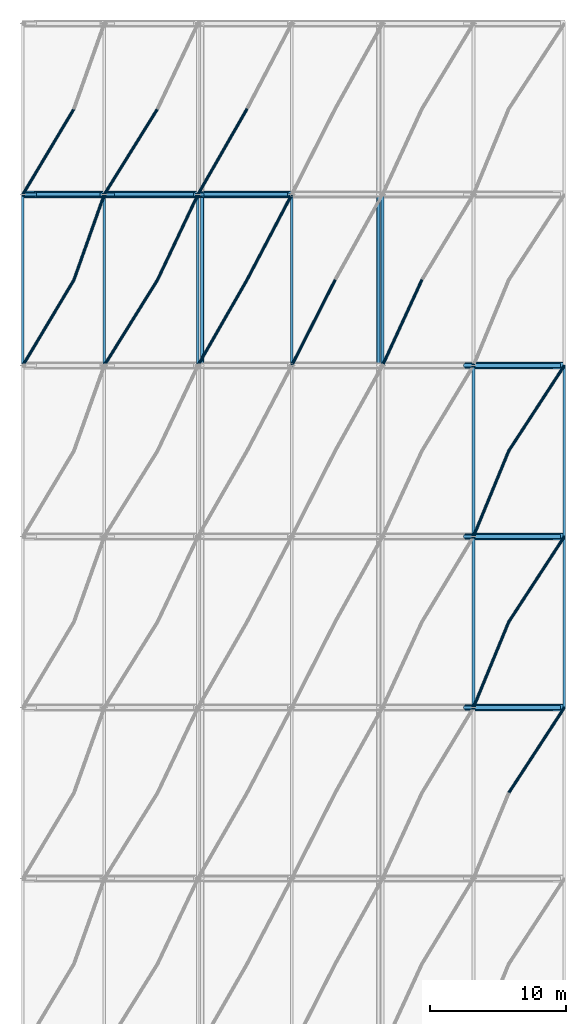
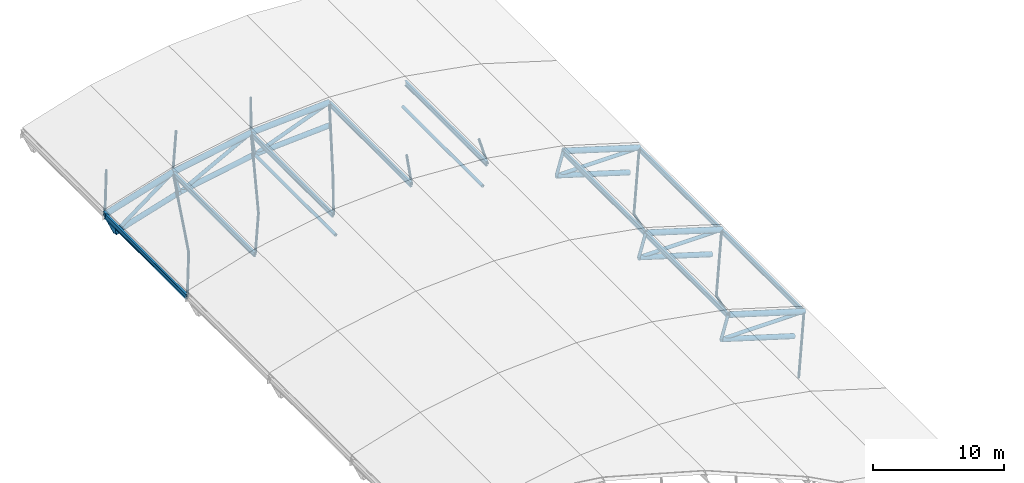
# One storey, part 9 of 18: 51 members.
"""IFC4 building model written with IfcOpenShell, lengths in metres."""

from ifc_helpers import new_model, si_unit, derived_unit, direction, frame, origin, origin_2d, place, context, subcontext, project, spatial, hollow_circle, i_section, extrude, material, material_profile, profile_set, type_object, element, save


model = new_model("IFC4")

# Units and contexts
model_context = context("Model", 3, precision=1e-05, world=origin(), true_north=direction((0.0, 1.0)))
body_context = subcontext(model_context, "Body", "Model", "MODEL_VIEW")
ifc_project = project(units=[si_unit("LENGTHUNIT", "METRE"), si_unit("AREAUNIT", "SQUARE_METRE"), si_unit("VOLUMEUNIT", "CUBIC_METRE"), si_unit("PLANEANGLEUNIT", "RADIAN"), si_unit("MASSUNIT", "GRAM", prefix="KILO"), derived_unit("THERMALTRANSMITTANCEUNIT", [(si_unit("MASSUNIT", "GRAM", prefix="KILO"), 1), (si_unit("TIMEUNIT", "SECOND"), -3), (si_unit("THERMODYNAMICTEMPERATUREUNIT", "KELVIN"), -1)])], contexts=[model_context])

# Site, building, storey
site_placement = place(None, origin())
site = spatial("IfcSite", under=ifc_project, at=site_placement, CompositionType="ELEMENT")
building_placement = place(site_placement, origin())
building = spatial("IfcBuilding", under=site, at=building_placement, Name="Valcora Ridge Arena", CompositionType="ELEMENT")
storey_placement = place(building_placement, frame((0.0, 0.0, 39.800048828125)))
storey = spatial("IfcBuildingStorey", under=building, at=storey_placement, Name="RF", CompositionType="ELEMENT", Elevation=39.800048828125)

# Members
ifc_material_1 = material(Name="Steel ASTM A572 Grade 50", Category="steel")
ifc_material_profile_1 = material_profile(ifc_material_1, i_section(OverallWidth=0.18994140625, OverallDepth=0.45703125, WebThickness=0.009033203125, FlangeThickness=0.014404296875, FilletRadius=0.014892578125, at=origin_2d()), Name="W18X50")
ifc_profile_set_1 = profile_set([ifc_material_profile_1], Name="Steel ASTM A572 Grade 50")
member_type_1 = type_object("IfcMemberType", Name="TY-MEMBER-PUR-W18X50", PredefinedType="PURLIN", material=ifc_profile_set_1)
for number, where, z_axis, x_axis, name in (
    (1, (69.199951171875, 57.85009765625, -0.510986328125), (0.0, 1.0, 0.0), (-1.0, 0.0, 0.0), "PUR-W18X50 SF-PR-PUR-W18X50-0044"),
    (2, (75.89990234375, 57.85009765625, -2.565185546875), (0.0, 1.0, 0.0), (-1.0, 0.0, 0.0), "PUR-W18X50 SF-PR-PUR-W18X50-0045"),
    (3, (69.199951171875, 70.449951171875, -0.510986328125), (0.0, 1.0, 0.0), (-1.0, 0.0, 0.0), "PUR-W18X50 SF-PR-PUR-W18X50-0056"),
    (4, (75.89990234375, 70.449951171875, -2.565185546875), (0.0, 1.0, 0.0), (-1.0, 0.0, 0.0), "PUR-W18X50 SF-PR-PUR-W18X50-0057"),
    (5, (36.0, 83.050048828125, -2.4501953125), (0.0, 1.0, 0.0), (-1.0, 0.0, 0.0), "PUR-W18X50 SF-PR-PUR-W18X50-0063"),
    (6, (42.0, 83.050048828125, -0.606689453125), (0.0, 1.0, 0.0), (-1.0, 0.0, 0.0), "PUR-W18X50 SF-PR-PUR-W18X50-0064"),
    (7, (48.89990234375, 83.050048828125, 0.662841796875), (0.0, 1.0, 0.0), (-1.0, 0.0, 0.0), "PUR-W18X50 SF-PR-PUR-W18X50-0065"),
    (8, (55.81005859375, 83.050048828125, 1.07958984375), (0.0, 1.0, 0.0), (-1.0, 0.0, 0.0), "PUR-W18X50 SF-PR-PUR-W18X50-0066"),
    (9, (62.5, 83.050048828125, 0.68603515625), (0.0, 1.0, 0.0), (-1.0, 0.0, 0.0), "PUR-W18X50 SF-PR-PUR-W18X50-0067"),
):
    element("IfcMember", number, at=place(storey_placement, frame(where, z_axis=z_axis, x_axis=x_axis)), inside=storey, type_object=member_type_1, Name=name, PredefinedType="PURLIN", context=body_context, shape_type="SweptSolid", body=[
        extrude(i_section(OverallWidth=0.18994140625, OverallDepth=0.45703125, WebThickness=0.009033203125, FlangeThickness=0.014404296875, FilletRadius=0.014892578125, at=origin_2d()), origin(), (0.0, 0.0, 1.0), 12.5),
    ])
ifc_material_2 = material(Name="Steel ASTM A500 Grade C", Category="steel")
ifc_material_profile_2 = material_profile(ifc_material_2, hollow_circle(Radius=0.228515625, WallThickness=0.01611328125, at=origin_2d()), Name="CHS457X16")
ifc_profile_set_2 = profile_set([ifc_material_profile_2], Name="Steel ASTM A500 Grade C")
member_type_2 = type_object("IfcMemberType", Name="TY-MEMBER-SFBC-457", PredefinedType="CHORD", material=ifc_profile_set_2)
for number, where, z_axis, x_axis, name in (
    (10, (68.594482421875, 57.800048828125, -2.509521484375), (0.956519455881, 0.0, -0.291668528508), (0.0, 1.0, 0.0), "SFBC-457 Space Frame Bottom Chord"),
    (11, (68.594482421875, 70.39990234375, -2.509521484375), (0.956519455881, 0.0, -0.291668528508), (0.0, 1.0, 0.0), "SFBC-457 Space Frame Bottom Chord"),
    (12, (68.594482421875, 83.0, -2.509521484375), (0.956519455881, 0.0, -0.291668528508), (0.0, 1.0, 0.0), "SFBC-457 Space Frame Bottom Chord"),
):
    element("IfcMember", number, at=place(storey_placement, frame(where, z_axis=z_axis, x_axis=x_axis)), inside=storey, type_object=member_type_2, Name=name, PredefinedType="CHORD", context=body_context, shape_type="SweptSolid", body=[
        extrude(hollow_circle(Radius=0.228515625, WallThickness=0.01611328125, at=origin_2d()), origin(), (0.0, 0.0, 1.0), 6.68798828125),
    ])
member_1_placement = place(storey_placement, frame((36.895751953125, 95.60009765625, -4.36083984375), z_axis=(0.956190411575, 0.0, 0.292745447124), x_axis=(0.0, 1.0, 0.0)))
element("IfcMember", 13, at=member_1_placement, inside=storey, type_object=member_type_2, Name="SFBC-457 Space Frame Bottom Chord", PredefinedType="CHORD", context=body_context, shape_type="SweptSolid", body=[
    extrude(hollow_circle(Radius=0.228515625, WallThickness=0.01611328125, at=origin_2d()), origin(), (0.0, 0.0, 1.0), 5.9912109375),
])
member_2_placement = place(storey_placement, frame((42.62451171875, 95.60009765625, -2.60693359375), z_axis=(0.983574646762, 0.0, 0.180501840008), x_axis=(0.0, 1.0, 0.0)))
element("IfcMember", 14, at=member_2_placement, inside=storey, type_object=member_type_2, Name="SFBC-457 Space Frame Bottom Chord", PredefinedType="CHORD", context=body_context, shape_type="SweptSolid", body=[
    extrude(hollow_circle(Radius=0.228515625, WallThickness=0.01611328125, at=origin_2d()), origin(), (0.0, 0.0, 1.0), 6.697998046875),
])
member_3_placement = place(storey_placement, frame((49.21240234375, 95.60009765625, -1.39794921875), z_axis=(0.998185892949, 0.0, 0.060207334425), x_axis=(0.0, 1.0, 0.0)))
element("IfcMember", 15, at=member_3_placement, inside=storey, type_object=member_type_2, Name="SFBC-457 Space Frame Bottom Chord", PredefinedType="CHORD", context=body_context, shape_type="SweptSolid", body=[
    extrude(hollow_circle(Radius=0.228515625, WallThickness=0.01611328125, at=origin_2d()), origin(), (0.0, 0.0, 1.0), 6.609619140625),
])
ifc_material_profile_3 = material_profile(ifc_material_2, hollow_circle(Radius=0.136474609375, WallThickness=0.012451171875, at=origin_2d()), Name="CHS273X12")
ifc_profile_set_3 = profile_set([ifc_material_profile_3], Name="Steel ASTM A500 Grade C")
member_type_3 = type_object("IfcMemberType", Name="TY-MEMBER-SFBT-273", PredefinedType="STRUT", material=ifc_profile_set_3)
for number, where, z_axis, x_axis, name in (
    (16, (49.21240234375, 83.179931640625, -1.39794921875), (0.0, 1.0, 0.0), (-1.0, 0.0, 0.0), "SFBT-273 Space Frame Bottom Strut"),
    (17, (62.197509765625, 83.179931640625, -1.373046875), (0.0, 1.0, 0.0), (-1.0, 0.0, 0.0), "SFBT-273 Space Frame Bottom Strut"),
):
    element("IfcMember", number, at=place(storey_placement, frame(where, z_axis=z_axis, x_axis=x_axis)), inside=storey, type_object=member_type_3, Name=name, PredefinedType="STRUT", context=body_context, shape_type="SweptSolid", body=[
        extrude(hollow_circle(Radius=0.136474609375, WallThickness=0.012451171875, at=origin_2d()), origin(), (0.0, 0.0, 1.0), 12.239990234375),
    ])
ifc_material_profile_4 = material_profile(ifc_material_2, hollow_circle(Radius=0.136474609375, WallThickness=0.012451171875, at=origin_2d()), Name="CHS273X12")
ifc_profile_set_4 = profile_set([ifc_material_profile_4], Name="Steel ASTM A500 Grade C")
member_type_4 = type_object("IfcMemberType", Name="TY-MEMBER-SFKP-273", PredefinedType="POST", material=ifc_profile_set_4)
for number, where, z_axis, x_axis, name in (
    (18, (68.594482421875, 57.800048828125, -2.509521484375), (0.279662222876, 0.0, 0.960098453856), (0.0, 1.0, 0.0), "SFKP-273 Space Frame King Post"),
    (19, (68.594482421875, 70.39990234375, -2.509521484375), (0.279662222876, 0.0, 0.960098453856), (0.0, 1.0, 0.0), "SFKP-273 Space Frame King Post"),
    (20, (68.594482421875, 83.0, -2.509521484375), (0.279662222876, 0.0, 0.960098453856), (0.0, 1.0, 0.0), "SFKP-273 Space Frame King Post"),
):
    element("IfcMember", number, at=place(storey_placement, frame(where, z_axis=z_axis, x_axis=x_axis)), inside=storey, type_object=member_type_4, Name=name, PredefinedType="POST", context=body_context, shape_type="SweptSolid", body=[
        extrude(hollow_circle(Radius=0.136474609375, WallThickness=0.012451171875, at=origin_2d()), origin(), (0.0, 0.0, 1.0), 2.1650390625),
    ])
member_4_placement = place(storey_placement, frame((36.895751953125, 95.60009765625, -4.36083984375), z_axis=(-0.41033677555, 0.0, 0.911934060462), x_axis=(0.0, -1.0, 0.0)))
element("IfcMember", 21, at=member_4_placement, inside=storey, type_object=member_type_4, Name="SFKP-273 Space Frame King Post", PredefinedType="POST", context=body_context, shape_type="SweptSolid", body=[
    extrude(hollow_circle(Radius=0.136474609375, WallThickness=0.012451171875, at=origin_2d()), origin(), (0.0, 0.0, 1.0), 2.182861328125),
])
member_5_placement = place(storey_placement, frame((42.62451171875, 95.60009765625, -2.60693359375), z_axis=(-0.28833013045, 0.0, 0.957531062616), x_axis=(0.0, -1.0, 0.0)))
element("IfcMember", 22, at=member_5_placement, inside=storey, type_object=member_type_4, Name="SFKP-273 Space Frame King Post", PredefinedType="POST", context=body_context, shape_type="SweptSolid", body=[
    extrude(hollow_circle(Radius=0.136474609375, WallThickness=0.012451171875, at=origin_2d()), origin(), (0.0, 0.0, 1.0), 2.166015625),
])
member_6_placement = place(storey_placement, frame((49.21240234375, 95.60009765625, -1.39794921875), z_axis=(-0.145069807623, 0.0, 0.989421422305), x_axis=(0.0, -1.0, 0.0)))
element("IfcMember", 23, at=member_6_placement, inside=storey, type_object=member_type_4, Name="SFKP-273 Space Frame King Post", PredefinedType="POST", context=body_context, shape_type="SweptSolid", body=[
    extrude(hollow_circle(Radius=0.136474609375, WallThickness=0.012451171875, at=origin_2d()), origin(), (0.0, 0.0, 1.0), 2.154052734375),
])
ifc_material_profile_5 = material_profile(ifc_material_2, hollow_circle(Radius=0.109619140625, WallThickness=0.010009765625, at=origin_2d()), Name="CHS219X10")
ifc_profile_set_5 = profile_set([ifc_material_profile_5], Name="Steel ASTM A500 Grade C")
member_type_5 = type_object("IfcMemberType", Name="TY-MEMBER-SFST-219", PredefinedType="STRUT", material=ifc_profile_set_5)
member_7_placement = place(storey_placement, frame((71.79296875, 51.5, -3.37841796875), z_axis=(0.542194744205, 0.831728413638, 0.119384694598), x_axis=(-0.837719724529, 0.546100414882, 0.0)))
element("IfcMember", 24, at=member_7_placement, inside=storey, type_object=member_type_5, Name="SFST-219 Space Frame Tie Strut", PredefinedType="STRUT", context=body_context, shape_type="SweptSolid", body=[
    extrude(hollow_circle(Radius=0.109619140625, WallThickness=0.010009765625, at=origin_2d()), origin(), (0.0, 0.0, 1.0), 7.57470703125),
])
member_8_placement = place(storey_placement, frame((71.79296875, 64.10009765625, -3.37841796875), z_axis=(-0.349318118915, -0.848710484756, 0.39707350058), x_axis=(0.924735975959, -0.380609215294, 0.0)))
element("IfcMember", 25, at=member_8_placement, inside=storey, type_object=member_type_5, Name="SFST-219 Space Frame Tie Strut", PredefinedType="STRUT", context=body_context, shape_type="SweptSolid", body=[
    extrude(hollow_circle(Radius=0.109619140625, WallThickness=0.010009765625, at=origin_2d()), origin(), (0.0, 0.0, 1.0), 7.423095703125),
])
member_9_placement = place(storey_placement, frame((71.79296875, 64.10009765625, -3.37841796875), z_axis=(0.54220927949, 0.831718478657, 0.119387895092), x_axis=(-0.837710042696, 0.546115266557, 0.0)))
element("IfcMember", 26, at=member_9_placement, inside=storey, type_object=member_type_5, Name="SFST-219 Space Frame Tie Strut", PredefinedType="STRUT", context=body_context, shape_type="SweptSolid", body=[
    extrude(hollow_circle(Radius=0.109619140625, WallThickness=0.010009765625, at=origin_2d()), origin(), (0.0, 0.0, 1.0), 7.574462890625),
])
member_10_placement = place(storey_placement, frame((71.79296875, 76.699951171875, -3.37841796875), z_axis=(-0.349318118915, -0.848710484756, 0.39707350058), x_axis=(0.924735975959, -0.380609215294, 0.0)))
element("IfcMember", 27, at=member_10_placement, inside=storey, type_object=member_type_5, Name="SFST-219 Space Frame Tie Strut", PredefinedType="STRUT", context=body_context, shape_type="SweptSolid", body=[
    extrude(hollow_circle(Radius=0.109619140625, WallThickness=0.010009765625, at=origin_2d()), origin(), (0.0, 0.0, 1.0), 7.423095703125),
])
member_11_placement = place(storey_placement, frame((71.79296875, 76.699951171875, -3.37841796875), z_axis=(0.542194744205, 0.831728413638, 0.119384694598), x_axis=(-0.837719724529, 0.546100414882, 0.0)))
element("IfcMember", 28, at=member_11_placement, inside=storey, type_object=member_type_5, Name="SFST-219 Space Frame Tie Strut", PredefinedType="STRUT", context=body_context, shape_type="SweptSolid", body=[
    extrude(hollow_circle(Radius=0.109619140625, WallThickness=0.010009765625, at=origin_2d()), origin(), (0.0, 0.0, 1.0), 7.57470703125),
])
member_12_placement = place(storey_placement, frame((39.760009765625, 89.300048828125, -3.3984375), z_axis=(-0.507527109704, -0.850382252185, 0.138802946956), x_axis=(0.858694396815, -0.512487983156, 0.0)))
element("IfcMember", 29, at=member_12_placement, inside=storey, type_object=member_type_5, Name="SFST-219 Space Frame Tie Strut", PredefinedType="STRUT", context=body_context, shape_type="SweptSolid", body=[
    extrude(hollow_circle(Radius=0.109619140625, WallThickness=0.010009765625, at=origin_2d()), origin(), (0.0, 0.0, 1.0), 7.408447265625),
])
member_13_placement = place(storey_placement, frame((39.760009765625, 89.300048828125, -3.3984375), z_axis=(0.307921307202, 0.866039164288, 0.39390434688), x_axis=(-0.942215970866, 0.335006065983, 0.0)))
element("IfcMember", 30, at=member_13_placement, inside=storey, type_object=member_type_5, Name="SFST-219 Space Frame Tie Strut", PredefinedType="STRUT", context=body_context, shape_type="SweptSolid", body=[
    extrude(hollow_circle(Radius=0.109619140625, WallThickness=0.010009765625, at=origin_2d()), origin(), (0.0, 0.0, 1.0), 7.274658203125),
])
member_14_placement = place(storey_placement, frame((45.91845703125, 89.300048828125, -1.8984375), z_axis=(-0.519425044578, -0.835125437715, 0.18100587379), x_axis=(0.84915171305, -0.528149001916, 0.0)))
element("IfcMember", 31, at=member_14_placement, inside=storey, type_object=member_type_5, Name="SFST-219 Space Frame Tie Strut", PredefinedType="STRUT", context=body_context, shape_type="SweptSolid", body=[
    extrude(hollow_circle(Radius=0.109619140625, WallThickness=0.010009765625, at=origin_2d()), origin(), (0.0, 0.0, 1.0), 7.5439453125),
])
member_15_placement = place(storey_placement, frame((45.91845703125, 89.300048828125, -1.8984375), z_axis=(0.400180692741, 0.845616015082, 0.353254820484), x_axis=(-0.903892552014, 0.427759575478, 0.0)))
element("IfcMember", 32, at=member_15_placement, inside=storey, type_object=member_type_5, Name="SFST-219 Space Frame Tie Strut", PredefinedType="STRUT", context=body_context, shape_type="SweptSolid", body=[
    extrude(hollow_circle(Radius=0.109619140625, WallThickness=0.010009765625, at=origin_2d()), origin(), (0.0, 0.0, 1.0), 7.4501953125),
])
member_16_placement = place(storey_placement, frame((52.51123046875, 89.300048828125, -1.099365234375), z_axis=(-0.48219098451, -0.841193777399, 0.244713880525), x_axis=(0.867572012448, -0.497311575591, 0.0)))
element("IfcMember", 33, at=member_16_placement, inside=storey, type_object=member_type_5, Name="SFST-219 Space Frame Tie Strut", PredefinedType="STRUT", context=body_context, shape_type="SweptSolid", body=[
    extrude(hollow_circle(Radius=0.109619140625, WallThickness=0.010009765625, at=origin_2d()), origin(), (0.0, 0.0, 1.0), 7.489501953125),
])
member_17_placement = place(storey_placement, frame((52.51123046875, 89.300048828125, -1.099365234375), z_axis=(0.442279706619, 0.844658661138, 0.30156327243), x_axis=(-0.885900736373, 0.463874859519, 0.0)))
element("IfcMember", 34, at=member_17_placement, inside=storey, type_object=member_type_5, Name="SFST-219 Space Frame Tie Strut", PredefinedType="STRUT", context=body_context, shape_type="SweptSolid", body=[
    extrude(hollow_circle(Radius=0.109619140625, WallThickness=0.010009765625, at=origin_2d()), origin(), (0.0, 0.0, 1.0), 7.458740234375),
])
member_18_placement = place(storey_placement, frame((59.003662109375, 89.300048828125, -1.093017578125), z_axis=(-0.430937331995, -0.850113741466, 0.302654328341), x_axis=(0.891945642305, -0.452142644719, 0.0)))
element("IfcMember", 35, at=member_18_placement, inside=storey, type_object=member_type_5, Name="SFST-219 Space Frame Tie Strut", PredefinedType="STRUT", context=body_context, shape_type="SweptSolid", body=[
    extrude(hollow_circle(Radius=0.109619140625, WallThickness=0.010009765625, at=origin_2d()), origin(), (0.0, 0.0, 1.0), 7.410888671875),
])
member_19_placement = place(storey_placement, frame((65.39599609375, 89.300048828125, -1.843505859375), z_axis=(-0.3910228866, -0.850644544657, 0.351432725851), x_axis=(0.908601375481, -0.417664387365, 0.0)))
element("IfcMember", 36, at=member_19_placement, inside=storey, type_object=member_type_5, Name="SFST-219 Space Frame Tie Strut", PredefinedType="STRUT", context=body_context, shape_type="SweptSolid", body=[
    extrude(hollow_circle(Radius=0.109619140625, WallThickness=0.010009765625, at=origin_2d()), origin(), (0.0, 0.0, 1.0), 7.40625),
])
member_20_placement = place(storey_placement, frame((39.760009765625, 101.89990234375, -3.3984375), z_axis=(-0.507541332782, -0.85037312844, 0.138806836808), x_axis=(0.858685656627, -0.512502627411, 0.0)))
element("IfcMember", 37, at=member_20_placement, inside=storey, type_object=member_type_5, Name="SFST-219 Space Frame Tie Strut", PredefinedType="STRUT", context=body_context, shape_type="SweptSolid", body=[
    extrude(hollow_circle(Radius=0.109619140625, WallThickness=0.010009765625, at=origin_2d()), origin(), (0.0, 0.0, 1.0), 7.408203125),
])
member_21_placement = place(storey_placement, frame((45.91845703125, 101.89990234375, -1.8984375), z_axis=(-0.519439083431, -0.835115645412, 0.181010765958), x_axis=(0.849142533686, -0.528163760102, 0.0)))
element("IfcMember", 38, at=member_21_placement, inside=storey, type_object=member_type_5, Name="SFST-219 Space Frame Tie Strut", PredefinedType="STRUT", context=body_context, shape_type="SweptSolid", body=[
    extrude(hollow_circle(Radius=0.109619140625, WallThickness=0.010009765625, at=origin_2d()), origin(), (0.0, 0.0, 1.0), 7.543701171875),
])
member_22_placement = place(storey_placement, frame((52.51123046875, 101.89990234375, -1.099365234375), z_axis=(-0.482204207108, -0.841184245552, 0.244720591046), x_axis=(0.86756369715, -0.497326081547, 0.0)))
element("IfcMember", 39, at=member_22_placement, inside=storey, type_object=member_type_5, Name="SFST-219 Space Frame Tie Strut", PredefinedType="STRUT", context=body_context, shape_type="SweptSolid", body=[
    extrude(hollow_circle(Radius=0.109619140625, WallThickness=0.010009765625, at=origin_2d()), origin(), (0.0, 0.0, 1.0), 7.4892578125),
])
ifc_material_profile_6 = material_profile(ifc_material_2, hollow_circle(Radius=0.25390625, WallThickness=0.01611328125, at=origin_2d()), Name="CHS508X16")
ifc_profile_set_6 = profile_set([ifc_material_profile_6], Name="Steel ASTM A500 Grade C")
member_type_6 = type_object("IfcMemberType", Name="TY-MEMBER-SFTC-508", PredefinedType="CHORD", material=ifc_profile_set_6)
for number, where, z_axis, x_axis, name in (
    (40, (69.199951171875, 57.800048828125, -0.430908203125), (0.956510795104, 0.0, -0.29169692979), (0.0, 1.0, 0.0), "SFTC-508 Space Frame Top Chord"),
    (41, (69.199951171875, 70.39990234375, -0.430908203125), (0.956510795104, 0.0, -0.29169692979), (0.0, 1.0, 0.0), "SFTC-508 Space Frame Top Chord"),
    (42, (69.199951171875, 83.0, -0.430908203125), (0.956510795104, 0.0, -0.29169692979), (0.0, 1.0, 0.0), "SFTC-508 Space Frame Top Chord"),
):
    element("IfcMember", number, at=place(storey_placement, frame(where, z_axis=z_axis, x_axis=x_axis)), inside=storey, type_object=member_type_6, Name=name, PredefinedType="CHORD", context=body_context, shape_type="SweptSolid", body=[
        extrude(hollow_circle(Radius=0.25390625, WallThickness=0.01611328125, at=origin_2d()), origin(), (0.0, 0.0, 1.0), 7.004638671875),
    ])
member_23_placement = place(storey_placement, frame((36.0, 95.60009765625, -2.3701171875), z_axis=(0.956181062975, 0.0, 0.292775980586), x_axis=(0.0, 1.0, 0.0)))
element("IfcMember", 43, at=member_23_placement, inside=storey, type_object=member_type_6, Name="SFTC-508 Space Frame Top Chord", PredefinedType="CHORD", context=body_context, shape_type="SweptSolid", body=[
    extrude(hollow_circle(Radius=0.25390625, WallThickness=0.01611328125, at=origin_2d()), origin(), (0.0, 0.0, 1.0), 6.27490234375),
])
member_24_placement = place(storey_placement, frame((42.0, 95.60009765625, -0.532958984375), z_axis=(0.983571765231, 0.0, 0.180517541089), x_axis=(0.0, 1.0, 0.0)))
element("IfcMember", 44, at=member_24_placement, inside=storey, type_object=member_type_6, Name="SFTC-508 Space Frame Top Chord", PredefinedType="CHORD", context=body_context, shape_type="SweptSolid", body=[
    extrude(hollow_circle(Radius=0.25390625, WallThickness=0.01611328125, at=origin_2d()), origin(), (0.0, 0.0, 1.0), 7.01513671875),
])
member_25_placement = place(storey_placement, frame((48.89990234375, 95.60009765625, 0.7333984375), z_axis=(0.998188446948, 0.0, 0.060164976346), x_axis=(0.0, 1.0, 0.0)))
element("IfcMember", 45, at=member_25_placement, inside=storey, type_object=member_type_6, Name="SFTC-508 Space Frame Top Chord", PredefinedType="CHORD", context=body_context, shape_type="SweptSolid", body=[
    extrude(hollow_circle(Radius=0.25390625, WallThickness=0.01611328125, at=origin_2d()), origin(), (0.0, 0.0, 1.0), 6.922607421875),
])
ifc_material_profile_7 = material_profile(ifc_material_2, hollow_circle(Radius=0.161865234375, WallThickness=0.012451171875, at=origin_2d()), Name="CHS323X12")
ifc_profile_set_7 = profile_set([ifc_material_profile_7], Name="Steel ASTM A500 Grade C")
member_type_7 = type_object("IfcMemberType", Name="TY-MEMBER-SFWB-323", PredefinedType="BRACE", material=ifc_profile_set_7)
for number, where, z_axis, x_axis, name in (
    (46, (68.75439453125, 57.800048828125, -2.508544921875), (0.999988477741, 0.0, 0.004800456742), (0.0, 1.0, 0.0), "SFWB-323 Space Frame Diagonal Brace"),
    (47, (68.75439453125, 70.39990234375, -2.508544921875), (0.999988477741, 0.0, 0.004800456742), (0.0, 1.0, 0.0), "SFWB-323 Space Frame Diagonal Brace"),
    (48, (68.75439453125, 83.0, -2.508544921875), (0.999988477741, 0.0, 0.004800456742), (0.0, 1.0, 0.0), "SFWB-323 Space Frame Diagonal Brace"),
):
    element("IfcMember", number, at=place(storey_placement, frame(where, z_axis=z_axis, x_axis=x_axis)), inside=storey, type_object=member_type_7, Name=name, PredefinedType="BRACE", context=body_context, shape_type="SweptSolid", body=[
        extrude(hollow_circle(Radius=0.161865234375, WallThickness=0.012451171875, at=origin_2d()), origin(), (0.0, 0.0, 1.0), 6.86572265625),
    ])
member_26_placement = place(storey_placement, frame((37.023681640625, 95.60009765625, -4.264892578125), z_axis=(0.800014795818, 0.0, 0.599980271736), x_axis=(0.0, 1.0, 0.0)))
element("IfcMember", 49, at=member_26_placement, inside=storey, type_object=member_type_7, Name="SFWB-323 Space Frame Diagonal Brace", PredefinedType="BRACE", context=body_context, shape_type="SweptSolid", body=[
    extrude(hollow_circle(Radius=0.161865234375, WallThickness=0.012451171875, at=origin_2d()), origin(), (0.0, 0.0, 1.0), 5.940185546875),
])
member_27_placement = place(storey_placement, frame((42.765625, 95.60009765625, -2.53173828125), z_axis=(0.882744799962, 0.0, 0.469852762193), x_axis=(0.0, 1.0, 0.0)))
element("IfcMember", 50, at=member_27_placement, inside=storey, type_object=member_type_7, Name="SFWB-323 Space Frame Diagonal Brace", PredefinedType="BRACE", context=body_context, shape_type="SweptSolid", body=[
    extrude(hollow_circle(Radius=0.161865234375, WallThickness=0.012451171875, at=origin_2d()), origin(), (0.0, 0.0, 1.0), 6.669189453125),
])
member_28_placement = place(storey_placement, frame((49.36181640625, 95.60009765625, -1.34033203125), z_axis=(0.932850436779, 0.0, 0.360263879124), x_axis=(0.0, 1.0, 0.0)))
element("IfcMember", 51, at=member_28_placement, inside=storey, type_object=member_type_7, Name="SFWB-323 Space Frame Diagonal Brace", PredefinedType="BRACE", context=body_context, shape_type="SweptSolid", body=[
    extrude(hollow_circle(Radius=0.161865234375, WallThickness=0.012451171875, at=origin_2d()), origin(), (0.0, 0.0, 1.0), 6.63232421875),
])

save(model, "model.ifc")
